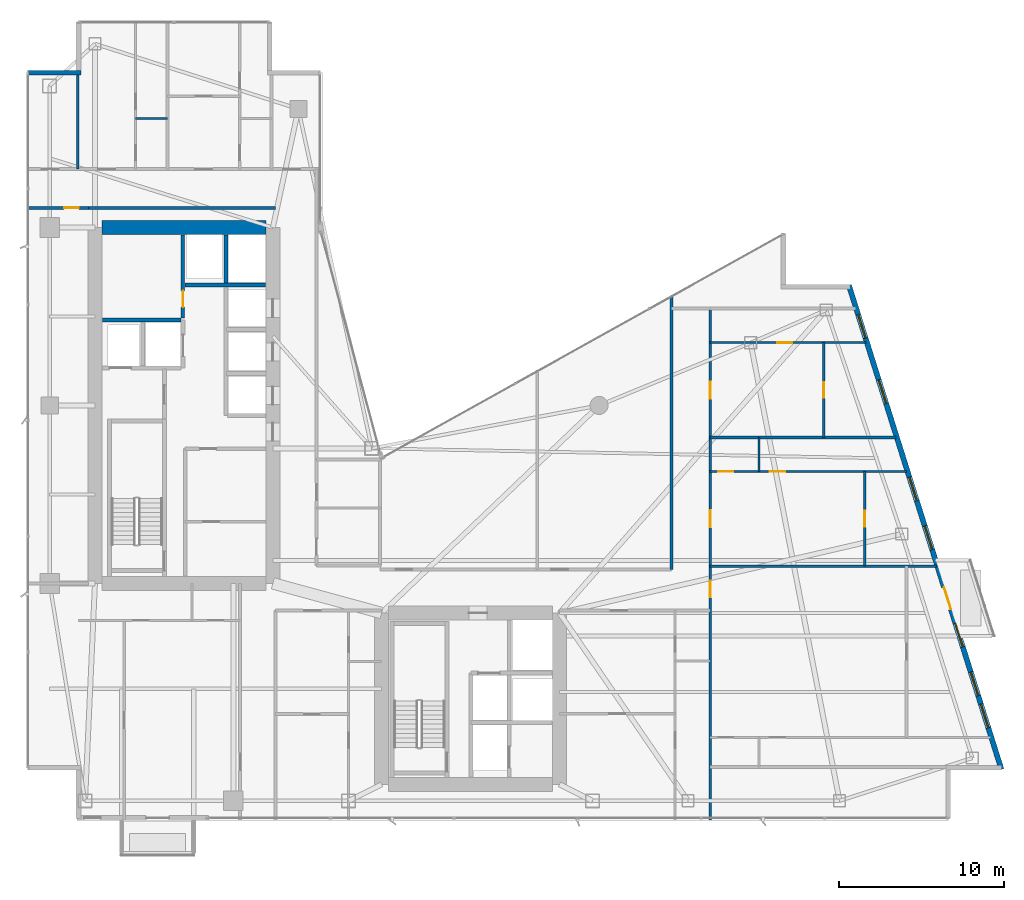
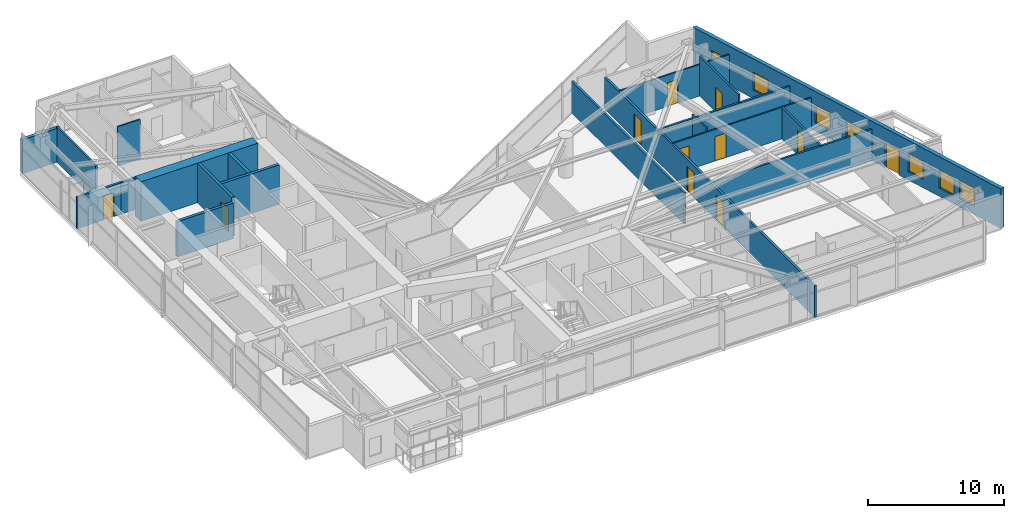
# One storey, part 24 of 28: 20 walls, 11 doors, 7 windows, 18 openings.
"""IFC4 building model written with IfcOpenShell, lengths in metres."""

from ifc_helpers import new_model, si_unit, direction, frame, frame_2d, origin, place, context, subcontext, project, spatial, rectangle, extrude, material, layer, layer_set, type_object, element, fill, save


model = new_model("IFC4")

# Units and contexts
model_context = context("Model", 3, precision=1e-05, world=origin(), true_north=direction((0.0, 1.0)))
body_context = subcontext(model_context, "Body", "Model", "MODEL_VIEW")
ifc_project = project(units=[si_unit("LENGTHUNIT", "METRE"), si_unit("AREAUNIT", "SQUARE_METRE"), si_unit("VOLUMEUNIT", "CUBIC_METRE"), si_unit("PLANEANGLEUNIT", "RADIAN"), si_unit("MASSUNIT", "GRAM", prefix="KILO")], contexts=[model_context])

# Site, building, storey
site_placement = place(None, origin())
site = spatial("IfcSite", under=ifc_project, at=site_placement, CompositionType="ELEMENT")
building_placement = place(site_placement, origin())
building = spatial("IfcBuilding", under=site, at=building_placement, Name="Calvorn Quay Hotel", CompositionType="ELEMENT")
storey_placement = place(building_placement, frame((0.0, 0.0, 127.800048828125)))
storey = spatial("IfcBuildingStorey", under=building, at=storey_placement, Name="L31", CompositionType="ELEMENT", Elevation=127.800048828125)

# Wall
ifc_material_1 = material(Name="Concrete C50", Category="concrete")
ifc_layer_1 = layer(ifc_material_1, 0.85009765625)
ifc_layer_set_1 = layer_set([ifc_layer_1], Name="WL-CORE-850")
wall_type_1 = type_object("IfcWallType", Name="WL-CORE-850", PredefinedType="SHEAR", material=ifc_layer_set_1)
wall_1_placement = place(storey_placement, frame((4.625, 38.39990234375, 0.0), z_axis=(0.0, 0.0, 1.0), x_axis=(1.0, 0.0, 0.0)))
element("IfcWall", 1, at=wall_1_placement, inside=storey, type_object=wall_type_1, Name="West Core Shear Wall N (L31)", PredefinedType="SHEAR", context=body_context, shape_type="SweptSolid", body=[
    extrude(rectangle(XDim=9.949951171875, YDim=0.85009765625, at=frame_2d((4.97509765625, 0.0))), origin(), (0.0, 0.0, 1.0), 3.56005859375),
])

# Wall, opening, door
ifc_material_2 = material(Name="Acoustic Fireboard Steel-Stud Partition", Category="steel")
ifc_layer_2 = layer(ifc_material_2, 0.179931640625)
ifc_layer_set_2 = layer_set([ifc_layer_2], Name="WL-CORR-FIRE-180")
wall_type_2 = type_object("IfcWallType", Name="WL-CORR-FIRE-180", PredefinedType="PARTITIONING", material=ifc_layer_set_2)
wall_2_placement = place(storey_placement, frame((0.080078125, 39.60009765625, 0.0), z_axis=(0.0, 0.0, 1.0), x_axis=(1.0, 0.0, 0.0)))
wall_2 = element("IfcWall", 2, at=wall_2_placement, inside=storey, type_object=wall_type_2, Name="Partition Wall L31-WL-WBAY-N-DOOR", PredefinedType="PARTITIONING", context=body_context, shape_type="SweptSolid", body=[
    extrude(rectangle(XDim=3.724853515625, YDim=0.179931640625, at=frame_2d((1.8623046875, 0.0))), origin(), (0.0, 0.0, 1.0), 2.83984375),
])
opening_1_placement = place(wall_2_placement, frame((2.25, 0.0, 0.0)))
opening_1 = element("IfcOpeningElement", 3, at=opening_1_placement, cuts=wall_2, Name="Opening D-L31-WBN", PredefinedType="OPENING", context=body_context, shape_type="SweptSolid", body=[
    extrude(rectangle(XDim=0.89990234375, YDim=2.14990234375, at=frame_2d((0.449951171875, 1.074951171875))), frame((0.0, 0.099853515625, 0.0), z_axis=(0.0, -1.0, 0.0), x_axis=(1.0, 0.0, 0.0)), (0.0, 0.0, 1.0), 0.199951171875),
])
ifc_material_3 = material(Name="Moisture-Sealed Timber En-Suite Door", Category="wood")
door_type_1 = type_object("IfcDoorType", Name="DR-ENSUITE-900", OperationType="NOTDEFINED", PredefinedType="DOOR", material=ifc_material_3)
door_1_placement = place(opening_1_placement, origin())
door_1 = element("IfcDoor", 4, at=door_1_placement, inside=storey, type_object=door_type_1, Name="West North Bay Door (L31)", OperationType="SINGLE_SWING_LEFT", OverallHeight=2.14990234375, OverallWidth=0.89990234375, PredefinedType="DOOR", context=body_context, shape_type="SweptSolid", body=[
    extrude(rectangle(XDim=0.89990234375, YDim=2.14990234375, at=frame_2d((0.449951171875, 1.074951171875))), frame((0.0, 0.02490234375, 0.0), z_axis=(0.0, -1.0, 0.0), x_axis=(1.0, 0.0, 0.0)), (0.0, 0.0, 1.0), 0.050048828125),
])
fill(opening_1, door_1)

# Walls
wall_3_placement = place(storey_placement, frame((3.7548828125, 39.60009765625, 0.0), z_axis=(0.0, 0.0, 1.0), x_axis=(1.0, 0.0, 0.0)))
element("IfcWall", 5, at=wall_3_placement, inside=storey, type_object=wall_type_2, Name="Partition Wall L31-WL-W-SPUR-S", PredefinedType="PARTITIONING", context=body_context, shape_type="SweptSolid", body=[
    extrude(rectangle(XDim=11.39501953125, YDim=0.179931640625, at=frame_2d((5.697509765625, 0.0))), origin(), (0.0, 0.0, 1.0), 2.83984375),
])
wall_4_placement = place(storey_placement, frame((39.199951171875, 17.64990234375, 0.0), z_axis=(0.0, 0.0, 1.0), x_axis=(0.0, 1.0, 0.0)))
element("IfcWall", 6, at=wall_4_placement, inside=storey, type_object=wall_type_2, Name="Partition Wall L31-WL-NE-END-E", PredefinedType="PARTITIONING", context=body_context, shape_type="SweptSolid", body=[
    extrude(rectangle(XDim=16.64013671875, YDim=0.179931640625, at=frame_2d((8.320068359375, 0.0))), origin(), (0.0, 0.0, 1.0), 2.83984375),
])

# Wall, openings, doors
wall_5_placement = place(storey_placement, frame((41.550048828125, 2.43994140625, 0.0), z_axis=(0.0, 0.0, 1.0), x_axis=(0.0, 1.0, 0.0)))
wall_5 = element("IfcWall", 7, at=wall_5_placement, inside=storey, type_object=wall_type_2, Name="Partition Wall L31-WL-CORR-TIP-E", PredefinedType="PARTITIONING", context=body_context, shape_type="SweptSolid", body=[
    extrude(rectangle(XDim=31.0400390625, YDim=0.179931640625, at=frame_2d((15.52001953125, 0.0))), origin(), (0.0, 0.0, 1.0), 2.83984375),
])
opening_2_placement = place(wall_5_placement, frame((13.510009765625, 0.0, 0.0)))
opening_2 = element("IfcOpeningElement", 8, at=opening_2_placement, cuts=wall_5, Name="Opening D-L31-U06", PredefinedType="OPENING", context=body_context, shape_type="SweptSolid", body=[
    extrude(rectangle(XDim=1.02001953125, YDim=2.199951171875, at=frame_2d((0.510009765625, 1.10009765625))), frame((0.0, 0.099853515625, 0.0), z_axis=(0.0, -1.0, 0.0), x_axis=(1.0, 0.0, 0.0)), (0.0, 0.0, 1.0), 0.199951171875),
])
opening_3_placement = place(wall_5_placement, frame((17.77001953125, 0.0, 0.0)))
opening_3 = element("IfcOpeningElement", 9, at=opening_3_placement, cuts=wall_5, Name="Opening D-L31-U07", PredefinedType="OPENING", context=body_context, shape_type="SweptSolid", body=[
    extrude(rectangle(XDim=1.02001953125, YDim=2.199951171875, at=frame_2d((0.510009765625, 1.10009765625))), frame((0.0, 0.099853515625, 0.0), z_axis=(0.0, -1.0, 0.0), x_axis=(1.0, 0.0, 0.0)), (0.0, 0.0, 1.0), 0.199951171875),
])
opening_4_placement = place(wall_5_placement, frame((25.580078125, 0.0, 0.0)))
opening_4 = element("IfcOpeningElement", 10, at=opening_4_placement, cuts=wall_5, Name="Opening D-L31-U08", PredefinedType="OPENING", context=body_context, shape_type="SweptSolid", body=[
    extrude(rectangle(XDim=1.02001953125, YDim=2.199951171875, at=frame_2d((0.510009765625, 1.10009765625))), frame((0.0, 0.099853515625, 0.0), z_axis=(0.0, -1.0, 0.0), x_axis=(1.0, 0.0, 0.0)), (0.0, 0.0, 1.0), 0.199951171875),
])
ifc_material_4 = material(Name="Solid-Core Walnut Veneer Hotel Fire Door")
door_type_2 = type_object("IfcDoorType", Name="DR-GUEST-ENTRY-1020", OperationType="NOTDEFINED", PredefinedType="DOOR", material=ifc_material_4)
door_2_placement = place(opening_2_placement, origin())
door_2 = element("IfcDoor", 11, at=door_2_placement, inside=storey, type_object=door_type_2, Name="Terrace Suite Door U06 (L31)", OperationType="SINGLE_SWING_LEFT", OverallHeight=2.199951171875, OverallWidth=1.02001953125, PredefinedType="DOOR", context=body_context, shape_type="SweptSolid", body=[
    extrude(rectangle(XDim=1.02001953125, YDim=2.199951171875, at=frame_2d((0.510009765625, 1.10009765625))), frame((0.0, 0.02490234375, 0.0), z_axis=(0.0, -1.0, 0.0), x_axis=(1.0, 0.0, 0.0)), (0.0, 0.0, 1.0), 0.050048828125),
])
fill(opening_2, door_2)
door_3_placement = place(opening_3_placement, origin())
door_3 = element("IfcDoor", 12, at=door_3_placement, inside=storey, type_object=door_type_2, Name="Mid-East Suite Door U07 (L31)", OperationType="SINGLE_SWING_RIGHT", OverallHeight=2.199951171875, OverallWidth=1.02001953125, PredefinedType="DOOR", context=body_context, shape_type="SweptSolid", body=[
    extrude(rectangle(XDim=1.02001953125, YDim=2.199951171875, at=frame_2d((0.510009765625, 1.10009765625))), frame((0.0, 0.02490234375, 0.0), z_axis=(0.0, -1.0, 0.0), x_axis=(1.0, 0.0, 0.0)), (0.0, 0.0, 1.0), 0.050048828125),
])
fill(opening_3, door_3)
door_4_placement = place(opening_4_placement, origin())
door_4 = element("IfcDoor", 13, at=door_4_placement, inside=storey, type_object=door_type_2, Name="Horizon Suite Door U08 (L31)", OperationType="SINGLE_SWING_LEFT", OverallHeight=2.199951171875, OverallWidth=1.02001953125, PredefinedType="DOOR", context=body_context, shape_type="SweptSolid", body=[
    extrude(rectangle(XDim=1.02001953125, YDim=2.199951171875, at=frame_2d((0.510009765625, 1.10009765625))), frame((0.0, 0.02490234375, 0.0), z_axis=(0.0, -1.0, 0.0), x_axis=(1.0, 0.0, 0.0)), (0.0, 0.0, 1.0), 0.050048828125),
])
fill(opening_4, door_4)

# Walls
ifc_material_5 = material(Name="Moisture-Resistant Tile-Backed Partition")
ifc_layer_3 = layer(ifc_material_5, 0.125)
ifc_layer_set_3 = layer_set([ifc_layer_3], Name="WL-ENSUITE-125")
wall_type_3 = type_object("IfcWallType", Name="WL-ENSUITE-125", PredefinedType="PARTITIONING", material=ifc_layer_set_3)
wall_6_placement = place(storey_placement, frame((6.669921875, 45.02001953125, 0.0), z_axis=(0.0, 0.0, 1.0), x_axis=(1.0, 0.0, 0.0)))
element("IfcWall", 14, at=wall_6_placement, inside=storey, type_object=wall_type_3, Name="Partition Wall L31-WL-U03-BDV", PredefinedType="PARTITIONING", context=body_context, shape_type="SweptSolid", body=[
    extrude(rectangle(XDim=1.93017578125, YDim=0.125, at=frame_2d((0.965087890625, 0.0))), origin(), (0.0, 0.0, 1.0), 3.56005859375),
])
wall_7_placement = place(storey_placement, frame((44.5, 23.590087890625, 0.0), z_axis=(0.0, 0.0, 1.0), x_axis=(0.0, 1.0, 0.0)))
element("IfcWall", 15, at=wall_7_placement, inside=storey, type_object=wall_type_3, Name="Partition Wall L31-WL-U07-BDV", PredefinedType="PARTITIONING", context=body_context, shape_type="SweptSolid", body=[
    extrude(rectangle(XDim=2.06982421875, YDim=0.125, at=frame_2d((1.034912109375, 0.0))), origin(), (0.0, 0.0, 1.0), 3.18994140625),
])

# Wall, openings, doors
wall_8_placement = place(storey_placement, frame((41.550048828125, 23.590087890625, 0.0), z_axis=(0.0, 0.0, 1.0), x_axis=(1.0, 0.0, 0.0)))
wall_8 = element("IfcWall", 16, at=wall_8_placement, inside=storey, type_object=wall_type_3, Name="Partition Wall L31-WL-U07-BH", PredefinedType="PARTITIONING", context=body_context, shape_type="SweptSolid", body=[
    extrude(rectangle(XDim=11.919921875, YDim=0.125, at=frame_2d((5.9599609375, 0.0))), origin(), (0.0, 0.0, 1.0), 2.83984375),
])
opening_5_placement = place(wall_8_placement, frame((0.5, 0.0, 0.0)))
opening_5 = element("IfcOpeningElement", 17, at=opening_5_placement, cuts=wall_8, Name="Opening D-L31-E07", PredefinedType="OPENING", context=body_context, shape_type="SweptSolid", body=[
    extrude(rectangle(XDim=0.89990234375, YDim=2.14990234375, at=frame_2d((0.449951171875, 1.074951171875))), frame((0.0, 0.072509765625, 0.0), z_axis=(0.0, -1.0, 0.0), x_axis=(1.0, 0.0, 0.0)), (0.0, 0.0, 1.0), 0.14501953125),
])
opening_6_placement = place(wall_8_placement, frame((3.60009765625, 0.0, 0.0)))
opening_6 = element("IfcOpeningElement", 18, at=opening_6_placement, cuts=wall_8, Name="Opening D-L31-S07", PredefinedType="OPENING", context=body_context, shape_type="SweptSolid", body=[
    extrude(rectangle(XDim=0.9599609375, YDim=2.199951171875, at=frame_2d((0.47998046875, 1.10009765625))), frame((0.0, 0.072509765625, 0.0), z_axis=(0.0, -1.0, 0.0), x_axis=(1.0, 0.0, 0.0)), (0.0, 0.0, 1.0), 0.14501953125),
])
door_5_placement = place(opening_5_placement, origin())
door_5 = element("IfcDoor", 19, at=door_5_placement, inside=storey, type_object=door_type_1, Name="En-Suite Door 07", OperationType="SINGLE_SWING_LEFT", OverallHeight=2.14990234375, OverallWidth=0.89990234375, PredefinedType="DOOR", context=body_context, shape_type="SweptSolid", body=[
    extrude(rectangle(XDim=0.89990234375, YDim=2.14990234375, at=frame_2d((0.449951171875, 1.074951171875))), frame((0.0, 0.02490234375, 0.0), z_axis=(0.0, -1.0, 0.0), x_axis=(1.0, 0.0, 0.0)), (0.0, 0.0, 1.0), 0.050048828125),
])
fill(opening_5, door_5)
ifc_material_6 = material(Name="Solid Timber Internal Suite Door", Category="wood")
door_type_3 = type_object("IfcDoorType", Name="DR-SUITE-INT-960", OperationType="NOTDEFINED", PredefinedType="DOOR", material=ifc_material_6)
door_6_placement = place(opening_6_placement, origin())
door_6 = element("IfcDoor", 20, at=door_6_placement, inside=storey, type_object=door_type_3, Name="Walk-In Wardrobe Door 07", OperationType="SINGLE_SWING_RIGHT", OverallHeight=2.199951171875, OverallWidth=0.9599609375, PredefinedType="DOOR", context=body_context, shape_type="SweptSolid", body=[
    extrude(rectangle(XDim=0.9599609375, YDim=2.199951171875, at=frame_2d((0.47998046875, 1.10009765625))), frame((0.0, 0.02490234375, 0.0), z_axis=(0.0, -1.0, 0.0), x_axis=(1.0, 0.0, 0.0)), (0.0, 0.0, 1.0), 0.050048828125),
])
fill(opening_6, door_6)

# Wall, opening, door
wall_9_placement = place(storey_placement, frame((41.550048828125, 31.409912109375, 0.0), z_axis=(0.0, 0.0, 1.0), x_axis=(1.0, 0.0, 0.0)))
wall_9 = element("IfcWall", 21, at=wall_9_placement, inside=storey, type_object=wall_type_3, Name="Partition Wall L31-WL-U08-BH", PredefinedType="PARTITIONING", context=body_context, shape_type="SweptSolid", body=[
    extrude(rectangle(XDim=9.4599609375, YDim=0.125, at=frame_2d((4.72998046875, 0.0))), origin(), (0.0, 0.0, 1.0), 2.83984375),
])
opening_7_placement = place(wall_9_placement, frame((4.070068359375, 0.0, 0.0)))
opening_7 = element("IfcOpeningElement", 22, at=opening_7_placement, cuts=wall_9, Name="Opening D-L31-E08", PredefinedType="OPENING", context=body_context, shape_type="SweptSolid", body=[
    extrude(rectangle(XDim=0.89990234375, YDim=2.14990234375, at=frame_2d((0.449951171875, 1.074951171875))), frame((0.0, 0.072509765625, 0.0), z_axis=(0.0, -1.0, 0.0), x_axis=(1.0, 0.0, 0.0)), (0.0, 0.0, 1.0), 0.14501953125),
])
door_7_placement = place(opening_7_placement, origin())
door_7 = element("IfcDoor", 23, at=door_7_placement, inside=storey, type_object=door_type_1, Name="En-Suite Door 08", OperationType="SINGLE_SWING_LEFT", OverallHeight=2.14990234375, OverallWidth=0.89990234375, PredefinedType="DOOR", context=body_context, shape_type="SweptSolid", body=[
    extrude(rectangle(XDim=0.89990234375, YDim=2.14990234375, at=frame_2d((0.449951171875, 1.074951171875))), frame((0.0, 0.02490234375, 0.0), z_axis=(0.0, -1.0, 0.0), x_axis=(1.0, 0.0, 0.0)), (0.0, 0.0, 1.0), 0.050048828125),
])
fill(opening_7, door_7)

# Wall
ifc_material_7 = material(Name="Concrete C40", Category="concrete")
ifc_layer_4 = layer(ifc_material_7, 0.320068359375)
ifc_layer_set_4 = layer_set([ifc_layer_4], Name="WL-EXT-SPANDREL-320")
wall_type_4 = type_object("IfcWallType", Name="WL-EXT-SPANDREL-320", PredefinedType="SOLIDWALL", material=ifc_layer_set_4)
wall_10_placement = place(storey_placement, frame((3.340087890625, 47.800048828125, 0.0), z_axis=(0.0, 0.0, 1.0), x_axis=(-1.0, 0.0, 0.0)))
element("IfcWall", 24, at=wall_10_placement, inside=storey, type_object=wall_type_4, Name="Notched Corner Spandrel L31-NW2", PredefinedType="SOLIDWALL", context=body_context, shape_type="SweptSolid", body=[
    extrude(rectangle(XDim=3.219970703125, YDim=0.280029296875, at=frame_2d((1.60986328125, 0.0))), origin(), (0.0, 0.0, 1.0), 3.0400390625),
])

# Wall, openings, door, windows
wall_11_placement = place(storey_placement, frame((59.22998046875, 5.5048828125, 0.0), z_axis=(0.0, 0.0, 1.0), x_axis=(-0.300509063924, 0.953778958931, 0.0)))
wall_11 = element("IfcWall", 25, at=wall_11_placement, inside=storey, type_object=wall_type_4, Name="East Stepped Waterfront Exterior Wall (L31)", PredefinedType="SOLIDWALL", context=body_context, shape_type="SweptSolid", body=[
    extrude(rectangle(XDim=30.814453125, YDim=0.320068359375, at=frame_2d((15.4072265625, 0.0))), origin(), (0.0, 0.0, 1.0), 3.56005859375),
])
opening_8_placement = place(wall_11_placement, frame((10.198974609375, 0.0, 0.0)))
opening_8 = element("IfcOpeningElement", 26, at=opening_8_placement, cuts=wall_11, Name="Opening DB-L31-1", PredefinedType="OPENING", context=body_context, shape_type="SweptSolid", body=[
    extrude(rectangle(XDim=1.39990234375, YDim=2.25, at=frame_2d((0.699951171875, 1.125))), frame((0.0, 0.169921875, 0.0), z_axis=(0.0, -1.0, 0.0), x_axis=(1.0, 0.0, 0.0)), (0.0, 0.0, 1.0), 0.340087890625),
])
opening_9_placement = place(wall_11_placement, frame((2.64990234375, 0.0, 0.75)))
opening_9 = element("IfcOpeningElement", 27, at=opening_9_placement, cuts=wall_11, Name="Opening WG-L31-E1", PredefinedType="OPENING", context=body_context, shape_type="SweptSolid", body=[
    extrude(rectangle(XDim=1.5, YDim=1.60009765625, at=frame_2d((0.75, 0.800048828125))), frame((0.0, 0.169921875, 0.0), z_axis=(0.0, -1.0, 0.0), x_axis=(1.0, 0.0, 0.0)), (0.0, 0.0, 1.0), 0.340087890625),
])
opening_10_placement = place(wall_11_placement, frame((4.699951171875, 0.0, 0.75)))
opening_10 = element("IfcOpeningElement", 28, at=opening_10_placement, cuts=wall_11, Name="Opening WG-L31-E2", PredefinedType="OPENING", context=body_context, shape_type="SweptSolid", body=[
    extrude(rectangle(XDim=1.5, YDim=1.60009765625, at=frame_2d((0.75, 0.800048828125))), frame((0.0, 0.169921875, 0.0), z_axis=(0.0, -1.0, 0.0), x_axis=(1.0, 0.0, 0.0)), (0.0, 0.0, 1.0), 0.340087890625),
])
opening_11_placement = place(wall_11_placement, frame((7.800048828125, 0.0, 0.75)))
opening_11 = element("IfcOpeningElement", 29, at=opening_11_placement, cuts=wall_11, Name="Opening WG-L31-E3", PredefinedType="OPENING", context=body_context, shape_type="SweptSolid", body=[
    extrude(rectangle(XDim=1.5, YDim=1.60009765625, at=frame_2d((0.75, 0.800048828125))), frame((0.0, 0.169921875, 0.0), z_axis=(0.0, -1.0, 0.0), x_axis=(1.0, 0.0, 0.0)), (0.0, 0.0, 1.0), 0.340087890625),
])
opening_12_placement = place(wall_11_placement, frame((14.0, 0.0, 0.75)))
opening_12 = element("IfcOpeningElement", 30, at=opening_12_placement, cuts=wall_11, Name="Opening WG-L31-E4", PredefinedType="OPENING", context=body_context, shape_type="SweptSolid", body=[
    extrude(rectangle(XDim=1.5, YDim=1.60009765625, at=frame_2d((0.75, 0.800048828125))), frame((0.0, 0.169921875, 0.0), z_axis=(0.0, -1.0, 0.0), x_axis=(1.0, 0.0, 0.0)), (0.0, 0.0, 1.0), 0.340087890625),
])
opening_13_placement = place(wall_11_placement, frame((17.10009765625, 0.0, 0.75)))
opening_13 = element("IfcOpeningElement", 31, at=opening_13_placement, cuts=wall_11, Name="Opening WG-L31-E5", PredefinedType="OPENING", context=body_context, shape_type="SweptSolid", body=[
    extrude(rectangle(XDim=1.5, YDim=1.60009765625, at=frame_2d((0.75, 0.800048828125))), frame((0.0, 0.169921875, 0.0), z_axis=(0.0, -1.0, 0.0), x_axis=(1.0, 0.0, 0.0)), (0.0, 0.0, 1.0), 0.340087890625),
])
opening_14_placement = place(wall_11_placement, frame((23.300048828125, 0.0, 0.75)))
opening_14 = element("IfcOpeningElement", 32, at=opening_14_placement, cuts=wall_11, Name="Opening WG-L31-E6", PredefinedType="OPENING", context=body_context, shape_type="SweptSolid", body=[
    extrude(rectangle(XDim=1.5, YDim=1.60009765625, at=frame_2d((0.75, 0.800048828125))), frame((0.0, 0.169921875, 0.0), z_axis=(0.0, -1.0, 0.0), x_axis=(1.0, 0.0, 0.0)), (0.0, 0.0, 1.0), 0.340087890625),
])
opening_15_placement = place(wall_11_placement, frame((27.449951171875, 0.0, 0.75)))
opening_15 = element("IfcOpeningElement", 33, at=opening_15_placement, cuts=wall_11, Name="Opening WG-L31-E7", PredefinedType="OPENING", context=body_context, shape_type="SweptSolid", body=[
    extrude(rectangle(XDim=1.5, YDim=1.60009765625, at=frame_2d((0.75, 0.800048828125))), frame((0.0, 0.169921875, 0.0), z_axis=(0.0, -1.0, 0.0), x_axis=(1.0, 0.0, 0.0)), (0.0, 0.0, 1.0), 0.340087890625),
])
ifc_material_8 = material(Name="Typhoon-Rated Low-E Aluminium Terrace Door", Category="aluminium")
door_type_4 = type_object("IfcDoorType", Name="DR-BALCONY-GLZ-1400", OperationType="NOTDEFINED", PredefinedType="DOOR", material=ifc_material_8)
door_8_placement = place(opening_8_placement, origin())
door_8 = element("IfcDoor", 34, at=door_8_placement, inside=storey, type_object=door_type_4, Name="Tree Balcony Terrace Door L31-BALC-E", OperationType="SINGLE_SWING_LEFT", OverallHeight=2.25, OverallWidth=1.39990234375, PredefinedType="DOOR", context=body_context, shape_type="SweptSolid", body=[
    extrude(rectangle(XDim=1.39990234375, YDim=2.25, at=frame_2d((0.699951171875, 1.125))), frame((0.0, 0.02490234375, 0.0), z_axis=(0.0, -1.0, 0.0), x_axis=(1.0, 0.0, 0.0)), (0.0, 0.0, 1.0), 0.050048828125),
])
fill(opening_8, door_8)
ifc_material_9 = material(Name="Self-Closing Class B Fire Window")
window_type = type_object("IfcWindowType", Name="WIN-REFUGE-1500x1600", PartitioningType="SINGLE_PANEL", PredefinedType="WINDOW", material=ifc_material_9)
window_1_placement = place(opening_9_placement, origin())
window_1 = element("IfcWindow", 35, at=window_1_placement, inside=storey, type_object=window_type, Name="East Facade Window L31-E1", OverallHeight=1.60009765625, OverallWidth=1.5, PartitioningType="SINGLE_PANEL", PredefinedType="WINDOW", context=body_context, shape_type="SweptSolid", body=[
    extrude(rectangle(XDim=1.5, YDim=1.60009765625, at=frame_2d((0.75, 0.800048828125))), frame((0.0, 0.030029296875, 0.0), z_axis=(0.0, -1.0, 0.0), x_axis=(1.0, 0.0, 0.0)), (0.0, 0.0, 1.0), 0.06005859375),
])
fill(opening_9, window_1)
window_2_placement = place(opening_10_placement, origin())
window_2 = element("IfcWindow", 36, at=window_2_placement, inside=storey, type_object=window_type, Name="East Facade Window L31-E2", OverallHeight=1.60009765625, OverallWidth=1.5, PartitioningType="SINGLE_PANEL", PredefinedType="WINDOW", context=body_context, shape_type="SweptSolid", body=[
    extrude(rectangle(XDim=1.5, YDim=1.60009765625, at=frame_2d((0.75, 0.800048828125))), frame((0.0, 0.030029296875, 0.0), z_axis=(0.0, -1.0, 0.0), x_axis=(1.0, 0.0, 0.0)), (0.0, 0.0, 1.0), 0.06005859375),
])
fill(opening_10, window_2)
window_3_placement = place(opening_11_placement, origin())
window_3 = element("IfcWindow", 37, at=window_3_placement, inside=storey, type_object=window_type, Name="East Facade Window L31-E3", OverallHeight=1.60009765625, OverallWidth=1.5, PartitioningType="SINGLE_PANEL", PredefinedType="WINDOW", context=body_context, shape_type="SweptSolid", body=[
    extrude(rectangle(XDim=1.5, YDim=1.60009765625, at=frame_2d((0.75, 0.800048828125))), frame((0.0, 0.030029296875, 0.0), z_axis=(0.0, -1.0, 0.0), x_axis=(1.0, 0.0, 0.0)), (0.0, 0.0, 1.0), 0.06005859375),
])
fill(opening_11, window_3)
window_4_placement = place(opening_12_placement, origin())
window_4 = element("IfcWindow", 38, at=window_4_placement, inside=storey, type_object=window_type, Name="East Facade Window L31-E4", OverallHeight=1.60009765625, OverallWidth=1.5, PartitioningType="SINGLE_PANEL", PredefinedType="WINDOW", context=body_context, shape_type="SweptSolid", body=[
    extrude(rectangle(XDim=1.5, YDim=1.60009765625, at=frame_2d((0.75, 0.800048828125))), frame((0.0, 0.030029296875, 0.0), z_axis=(0.0, -1.0, 0.0), x_axis=(1.0, 0.0, 0.0)), (0.0, 0.0, 1.0), 0.06005859375),
])
fill(opening_12, window_4)
window_5_placement = place(opening_13_placement, origin())
window_5 = element("IfcWindow", 39, at=window_5_placement, inside=storey, type_object=window_type, Name="East Facade Window L31-E5", OverallHeight=1.60009765625, OverallWidth=1.5, PartitioningType="SINGLE_PANEL", PredefinedType="WINDOW", context=body_context, shape_type="SweptSolid", body=[
    extrude(rectangle(XDim=1.5, YDim=1.60009765625, at=frame_2d((0.75, 0.800048828125))), frame((0.0, 0.030029296875, 0.0), z_axis=(0.0, -1.0, 0.0), x_axis=(1.0, 0.0, 0.0)), (0.0, 0.0, 1.0), 0.06005859375),
])
fill(opening_13, window_5)
window_6_placement = place(opening_14_placement, origin())
window_6 = element("IfcWindow", 40, at=window_6_placement, inside=storey, type_object=window_type, Name="East Facade Window L31-E6", OverallHeight=1.60009765625, OverallWidth=1.5, PartitioningType="SINGLE_PANEL", PredefinedType="WINDOW", context=body_context, shape_type="SweptSolid", body=[
    extrude(rectangle(XDim=1.5, YDim=1.60009765625, at=frame_2d((0.75, 0.800048828125))), frame((0.0, 0.030029296875, 0.0), z_axis=(0.0, -1.0, 0.0), x_axis=(1.0, 0.0, 0.0)), (0.0, 0.0, 1.0), 0.06005859375),
])
fill(opening_14, window_6)
window_7_placement = place(opening_15_placement, origin())
window_7 = element("IfcWindow", 41, at=window_7_placement, inside=storey, type_object=window_type, Name="East Facade Window L31-E7", OverallHeight=1.60009765625, OverallWidth=1.5, PartitioningType="SINGLE_PANEL", PredefinedType="WINDOW", context=body_context, shape_type="SweptSolid", body=[
    extrude(rectangle(XDim=1.5, YDim=1.60009765625, at=frame_2d((0.75, 0.800048828125))), frame((0.0, 0.030029296875, 0.0), z_axis=(0.0, -1.0, 0.0), x_axis=(1.0, 0.0, 0.0)), (0.0, 0.0, 1.0), 0.06005859375),
])
fill(opening_15, window_7)

# Wall
ifc_material_10 = material(Name="Double-Stud Acoustic Gypsum Partition")
ifc_layer_5 = layer(ifc_material_10, 0.159912109375)
ifc_layer_set_5 = layer_set([ifc_layer_5], Name="WL-INTERSUITE-160")
wall_type_5 = type_object("IfcWallType", Name="WL-INTERSUITE-160", PredefinedType="PARTITIONING", material=ifc_layer_set_5)
wall_12_placement = place(storey_placement, frame((3.14990234375, 41.949951171875, 0.0), z_axis=(0.0, 0.0, 1.0), x_axis=(0.0, 1.0, 0.0)))
element("IfcWall", 42, at=wall_12_placement, inside=storey, type_object=wall_type_5, Name="Partition Wall L31-WL-NW-DIV-W0", PredefinedType="PARTITIONING", context=body_context, shape_type="SweptSolid", body=[
    extrude(rectangle(XDim=5.85009765625, YDim=0.159912109375, at=frame_2d((2.925048828125, 0.0))), origin(), (0.0, 0.0, 1.0), 3.139892578125),
])

# Wall, opening, door
wall_13_placement = place(storey_placement, frame((50.919921875, 17.85009765625, 0.0), z_axis=(0.0, 0.0, 1.0), x_axis=(0.0, 1.0, 0.0)))
wall_13 = element("IfcWall", 43, at=wall_13_placement, inside=storey, type_object=wall_type_5, Name="Partition Wall L31-WL-U07-MSP", PredefinedType="PARTITIONING", context=body_context, shape_type="SweptSolid", body=[
    extrude(rectangle(XDim=5.739990234375, YDim=0.159912109375, at=frame_2d((2.8701171875, 0.0))), origin(), (0.0, 0.0, 1.0), 2.83984375),
])
opening_16_placement = place(wall_13_placement, frame((2.389892578125, 0.0, 0.0)))
opening_16 = element("IfcOpeningElement", 44, at=opening_16_placement, cuts=wall_13, Name="Opening D-L31-M07", PredefinedType="OPENING", context=body_context, shape_type="SweptSolid", body=[
    extrude(rectangle(XDim=0.9599609375, YDim=2.199951171875, at=frame_2d((0.47998046875, 1.10009765625))), frame((0.0, 0.08984375, 0.0), z_axis=(0.0, -1.0, 0.0), x_axis=(1.0, 0.0, 0.0)), (0.0, 0.0, 1.0), 0.179931640625),
])
door_9_placement = place(opening_16_placement, origin())
door_9 = element("IfcDoor", 45, at=door_9_placement, inside=storey, type_object=door_type_3, Name="Suite Bedroom Door 07", OperationType="SINGLE_SWING_LEFT", OverallHeight=2.199951171875, OverallWidth=0.9599609375, PredefinedType="DOOR", context=body_context, shape_type="SweptSolid", body=[
    extrude(rectangle(XDim=0.9599609375, YDim=2.199951171875, at=frame_2d((0.47998046875, 1.10009765625))), frame((0.0, 0.02490234375, 0.0), z_axis=(0.0, -1.0, 0.0), x_axis=(1.0, 0.0, 0.0)), (0.0, 0.0, 1.0), 0.050048828125),
])
fill(opening_16, door_9)

wall_14_placement = place(storey_placement, frame((48.449951171875, 25.659912109375, 0.0), z_axis=(0.0, 0.0, 1.0), x_axis=(0.0, 1.0, 0.0)))
wall_14 = element("IfcWall", 46, at=wall_14_placement, inside=storey, type_object=wall_type_5, Name="Partition Wall L31-WL-U08-MSP", PredefinedType="PARTITIONING", context=body_context, shape_type="SweptSolid", body=[
    extrude(rectangle(XDim=5.75, YDim=0.159912109375, at=frame_2d((2.875, 0.0))), origin(), (0.0, 0.0, 1.0), 3.56005859375),
])
opening_17_placement = place(wall_14_placement, frame((2.39990234375, 0.0, 0.0)))
opening_17 = element("IfcOpeningElement", 47, at=opening_17_placement, cuts=wall_14, Name="Opening D-L31-M08", PredefinedType="OPENING", context=body_context, shape_type="SweptSolid", body=[
    extrude(rectangle(XDim=0.9599609375, YDim=2.199951171875, at=frame_2d((0.47998046875, 1.10009765625))), frame((0.0, 0.08984375, 0.0), z_axis=(0.0, -1.0, 0.0), x_axis=(1.0, 0.0, 0.0)), (0.0, 0.0, 1.0), 0.179931640625),
])
door_10_placement = place(opening_17_placement, origin())
door_10 = element("IfcDoor", 48, at=door_10_placement, inside=storey, type_object=door_type_3, Name="Suite Bedroom Door 08", OperationType="SINGLE_SWING_LEFT", OverallHeight=2.199951171875, OverallWidth=0.9599609375, PredefinedType="DOOR", context=body_context, shape_type="SweptSolid", body=[
    extrude(rectangle(XDim=0.9599609375, YDim=2.199951171875, at=frame_2d((0.47998046875, 1.10009765625))), frame((0.0, 0.02490234375, 0.0), z_axis=(0.0, -1.0, 0.0), x_axis=(1.0, 0.0, 0.0)), (0.0, 0.0, 1.0), 0.050048828125),
])
fill(opening_17, door_10)

# Walls
wall_15_placement = place(storey_placement, frame((41.550048828125, 25.659912109375, 0.0), z_axis=(0.0, 0.0, 1.0), x_axis=(1.0, 0.0, 0.0)))
element("IfcWall", 49, at=wall_15_placement, inside=storey, type_object=wall_type_5, Name="Partition Wall L31-WL-TIP-DIV2", PredefinedType="PARTITIONING", context=body_context, shape_type="SweptSolid", body=[
    extrude(rectangle(XDim=11.27001953125, YDim=0.159912109375, at=frame_2d((5.635009765625, 0.0))), origin(), (0.0, 0.0, 1.0), 2.83984375),
])
wall_16_placement = place(storey_placement, frame((41.550048828125, 17.85009765625, 0.0), z_axis=(0.0, 0.0, 1.0), x_axis=(1.0, 0.0, 0.0)))
element("IfcWall", 50, at=wall_16_placement, inside=storey, type_object=wall_type_5, Name="Partition Wall L31-WL-TIP-DIV", PredefinedType="PARTITIONING", context=body_context, shape_type="SweptSolid", body=[
    extrude(rectangle(XDim=13.72998046875, YDim=0.159912109375, at=frame_2d((6.864990234375, 0.0))), origin(), (0.0, 0.0, 1.0), 2.83984375),
])

# Wall, opening, door
ifc_material_11 = material(Name="Autoclaved Aerated Masonry Block", Category="masonry")
ifc_layer_6 = layer(ifc_material_11, 0.219970703125)
ifc_layer_set_6 = layer_set([ifc_layer_6], Name="WL-LOBBY-FIRE-220")
wall_type_6 = type_object("IfcWallType", Name="WL-LOBBY-FIRE-220", PredefinedType="SOLIDWALL", material=ifc_layer_set_6)
wall_17_placement = place(storey_placement, frame((9.5400390625, 32.919921875, 0.0), z_axis=(0.0, 0.0, 1.0), x_axis=(0.0, 1.0, 0.0)))
wall_17 = element("IfcWall", 51, at=wall_17_placement, inside=storey, type_object=wall_type_6, Name="Partition Wall L31-WL-CWW-K-E", PredefinedType="SOLIDWALL", context=body_context, shape_type="SweptSolid", body=[
    extrude(rectangle(XDim=5.03515625, YDim=0.219970703125, at=frame_2d((2.517578125, 0.0))), origin(), (0.0, 0.0, 1.0), 3.56005859375),
])
opening_18_placement = place(wall_17_placement, frame((0.64990234375, 0.0, 0.0)))
opening_18 = element("IfcOpeningElement", 52, at=opening_18_placement, cuts=wall_17, Name="Opening D-L31-CK1", PredefinedType="OPENING", context=body_context, shape_type="SweptSolid", body=[
    extrude(rectangle(XDim=0.97998046875, YDim=2.14990234375, at=frame_2d((0.489990234375, 1.074951171875))), frame((0.0, 0.119873046875, 0.0), z_axis=(0.0, -1.0, 0.0), x_axis=(1.0, 0.0, 0.0)), (0.0, 0.0, 1.0), 0.239990234375),
])
ifc_material_12 = material(Name="Painted Steel Housekeeping/Riser Fire Door", Category="steel")
door_type_5 = type_object("IfcDoorType", Name="DR-SERVICE-980", OperationType="NOTDEFINED", PredefinedType="DOOR", material=ifc_material_12)
door_11_placement = place(opening_18_placement, origin())
door_11 = element("IfcDoor", 53, at=door_11_placement, inside=storey, type_object=door_type_5, Name="Core Linen Room Door (L31)", OperationType="SINGLE_SWING_LEFT", OverallHeight=2.14990234375, OverallWidth=0.97998046875, PredefinedType="DOOR", context=body_context, shape_type="SweptSolid", body=[
    extrude(rectangle(XDim=0.97998046875, YDim=2.14990234375, at=frame_2d((0.489990234375, 1.074951171875))), frame((0.0, 0.02490234375, 0.0), z_axis=(0.0, -1.0, 0.0), x_axis=(1.0, 0.0, 0.0)), (0.0, 0.0, 1.0), 0.050048828125),
])
fill(opening_18, door_11)

# Walls
ifc_material_13 = material(Name="Concrete C40", Category="concrete")
ifc_layer_7 = layer(ifc_material_13, 0.239990234375)
ifc_layer_set_7 = layer_set([ifc_layer_7], Name="WL-SHAFT-240")
wall_type_7 = type_object("IfcWallType", Name="WL-SHAFT-240", PredefinedType="SOLIDWALL", material=ifc_layer_set_7)
wall_18_placement = place(storey_placement, frame((4.64501953125, 32.780029296875, 0.0), z_axis=(0.0, 0.0, 1.0), x_axis=(1.0, 0.0, 0.0)))
element("IfcWall", 54, at=wall_18_placement, inside=storey, type_object=wall_type_7, Name="Partition Wall L31-WL-CWW-SLW-N", PredefinedType="SOLIDWALL", context=body_context, shape_type="SweptSolid", body=[
    extrude(rectangle(XDim=4.77490234375, YDim=0.239990234375, at=frame_2d((2.387451171875, 0.0))), origin(), (0.0, 0.0, 1.0), 3.18994140625),
])
wall_19_placement = place(storey_placement, frame((9.659912109375, 34.89990234375, 0.0), z_axis=(0.0, 0.0, 1.0), x_axis=(1.0, 0.0, 0.0)))
element("IfcWall", 55, at=wall_19_placement, inside=storey, type_object=wall_type_7, Name="Partition Wall L31-WL-CWW-PLH-S", PredefinedType="SOLIDWALL", context=body_context, shape_type="SweptSolid", body=[
    extrude(rectangle(XDim=4.89501953125, YDim=0.239990234375, at=frame_2d((2.447509765625, 0.0))), origin(), (0.0, 0.0, 1.0), 3.56005859375),
])
wall_20_placement = place(storey_placement, frame((12.14990234375, 35.02001953125, 0.0), z_axis=(0.0, 0.0, 1.0), x_axis=(0.0, 1.0, 0.0)))
element("IfcWall", 56, at=wall_20_placement, inside=storey, type_object=wall_type_7, Name="Partition Wall L31-WL-CWW-PLH-DIV", PredefinedType="SOLIDWALL", context=body_context, shape_type="SweptSolid", body=[
    extrude(rectangle(XDim=2.93505859375, YDim=0.239990234375, at=frame_2d((1.467529296875, 0.0))), origin(), (0.0, 0.0, 1.0), 3.56005859375),
])

save(model, "model.ifc")
